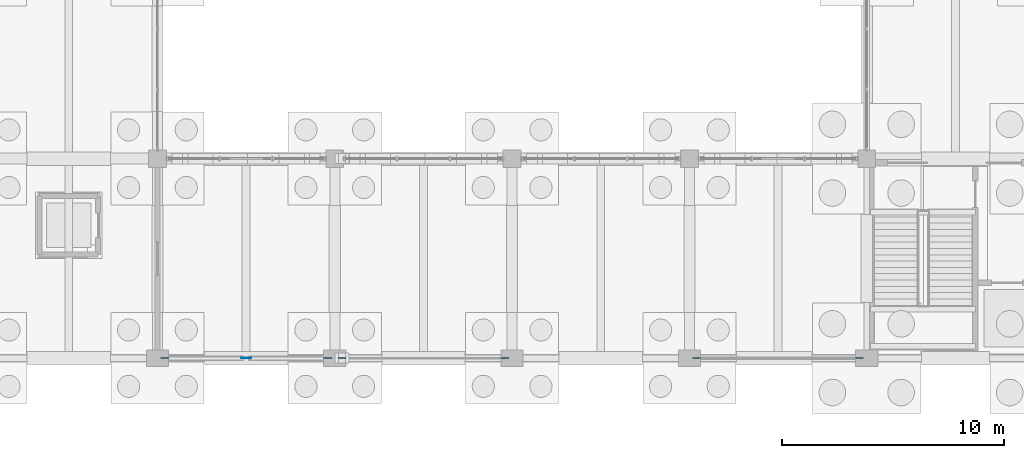
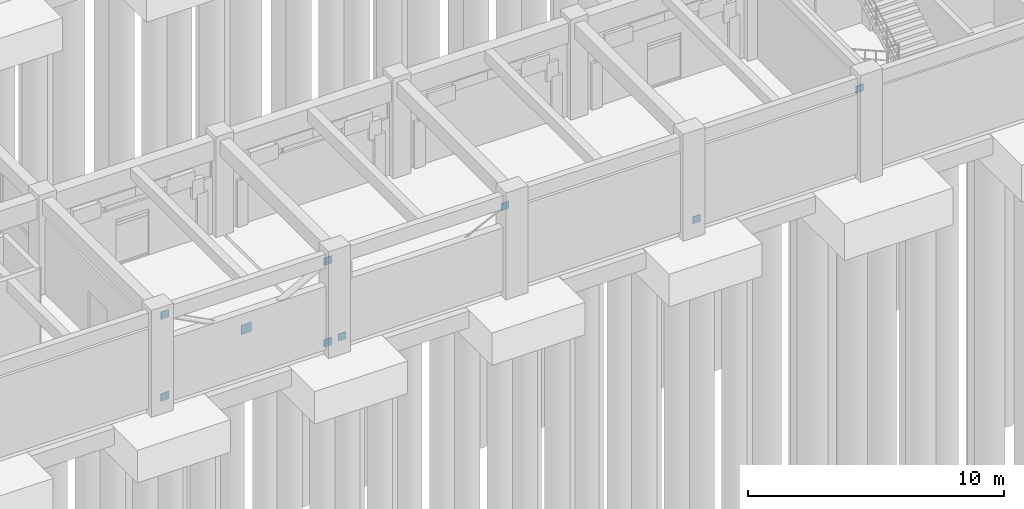
# One storey, part 99 of 147: 9 plates.
"""IFC4 building model written with IfcOpenShell, lengths in metres."""

from ifc_helpers import new_model, si_unit, direction, frame, origin, origin_2d, place, context, subcontext, project, spatial, rectangle, extrude, material, layer, layer_set, type_object, element, save


model = new_model("IFC4")

# Units and contexts
model_context = context("Model", 3, precision=1e-05, world=origin(), true_north=direction((0.0, 1.0)))
body_context = subcontext(model_context, "Body", "Model", "MODEL_VIEW")
ifc_project = project(units=[si_unit("LENGTHUNIT", "METRE"), si_unit("AREAUNIT", "SQUARE_METRE"), si_unit("VOLUMEUNIT", "CUBIC_METRE"), si_unit("PLANEANGLEUNIT", "RADIAN"), si_unit("MASSUNIT", "GRAM", prefix="KILO")], contexts=[model_context])

# Site, building, storey
site_placement = place(None, origin())
site = spatial("IfcSite", under=ifc_project, at=site_placement, CompositionType="ELEMENT")
building_placement = place(site_placement, origin())
building = spatial("IfcBuilding", under=site, at=building_placement, Name="Varnabhumi Central Station", CompositionType="ELEMENT")
storey_placement = place(building_placement, origin())
storey = spatial("IfcBuildingStorey", under=building, at=storey_placement, Name="L00", CompositionType="ELEMENT", Elevation=0.0)

# Plates
ifc_material = material(Name="Structural steel E350", Category="steel")
ifc_layer = layer(ifc_material, 0.031982421875, Name="Structural steel E350", Category="steel")
ifc_layer_set = layer_set([ifc_layer], Name="Structural steel E350")
plate_type = type_object("IfcPlateType", Name="PLT-GUSSET-A", PredefinedType="USERDEFINED", material=ifc_layer_set)
plate_placement = place(storey_placement, frame((116.0, 0.0, 1.929931640625), z_axis=(0.0, 0.0, 1.0), x_axis=(1.0, 0.0, 0.0)))
element("IfcPlate", 1, at=plate_placement, inside=storey, type_object=plate_type, Name="X-Brace Crossing Node Gusset L00-A:15-16", ObjectType="GUSSET PLATE", PredefinedType="USERDEFINED", context=body_context, shape_type="SweptSolid", body=[
    extrude(rectangle(XDim=0.43994140625, YDim=0.02490234375, at=origin_2d()), origin(), (0.0, 0.0, 1.0), 0.43994140625),
])
for number, where, z_axis, x_axis, name in (
    (2, (112.320068359375, 0.0, 0.02001953125), (0.0, 0.0, 1.0), (1.0, 0.0, 0.0), "Brace End Gusset Plate L00-A:15-16-BL"),
    (3, (112.320068359375, 0.0, 3.919921875), (0.0, 0.0, 1.0), (1.0, 0.0, 0.0), "Brace End Gusset Plate L00-A:15-16-TL"),
    (4, (119.679931640625, 0.0, 0.02001953125), (0.0, 0.0, 1.0), (1.0, 0.0, 0.0), "Brace End Gusset Plate L00-A:15-16-BR"),
    (5, (119.679931640625, 0.0, 3.919921875), (0.0, 0.0, 1.0), (1.0, 0.0, 0.0), "Brace End Gusset Plate L00-A:15-16-TR"),
):
    element("IfcPlate", number, at=place(storey_placement, frame(where, z_axis=z_axis, x_axis=x_axis)), inside=storey, type_object=plate_type, Name=name, ObjectType="GUSSET PLATE", PredefinedType="USERDEFINED", context=body_context, shape_type="SweptSolid", body=[
        extrude(rectangle(XDim=0.360107421875, YDim=0.02490234375, at=origin_2d()), origin(), (0.0, 0.0, 1.0), 0.360107421875),
    ])
for number, where, z_axis, x_axis, name in (
    (6, (120.320068359375, 0.0, 0.080078125), (0.0, 0.0, 1.0), (1.0, 0.0, 0.0), "Lateral Brace End Gusset WB-13-B"),
    (7, (127.679931640625, 0.0, 3.72998046875), (0.0, 0.0, 1.0), (1.0, 0.0, 0.0), "Lateral Brace End Gusset WB-13-T"),
    (8, (136.320068359375, 0.0, 0.080078125), (0.0, 0.0, 1.0), (1.0, 0.0, 0.0), "Lateral Brace End Gusset WB-14-B"),
    (9, (143.679931640625, 0.0, 3.72998046875), (0.0, 0.0, 1.0), (1.0, 0.0, 0.0), "Lateral Brace End Gusset WB-14-T"),
):
    element("IfcPlate", number, at=place(storey_placement, frame(where, z_axis=z_axis, x_axis=x_axis)), inside=storey, type_object=plate_type, Name=name, ObjectType="GUSSET PLATE", PredefinedType="USERDEFINED", context=body_context, shape_type="SweptSolid", body=[
        extrude(rectangle(XDim=0.340087890625, YDim=0.02490234375, at=origin_2d()), origin(), (0.0, 0.0, 1.0), 0.340087890625),
    ])

save(model, "model.ifc")
